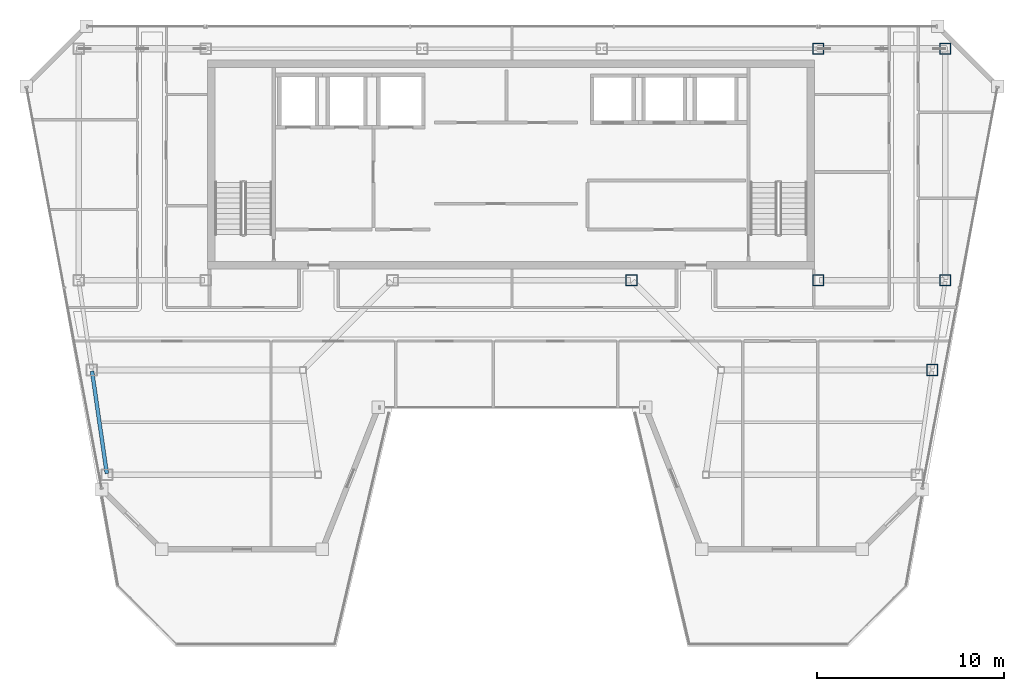
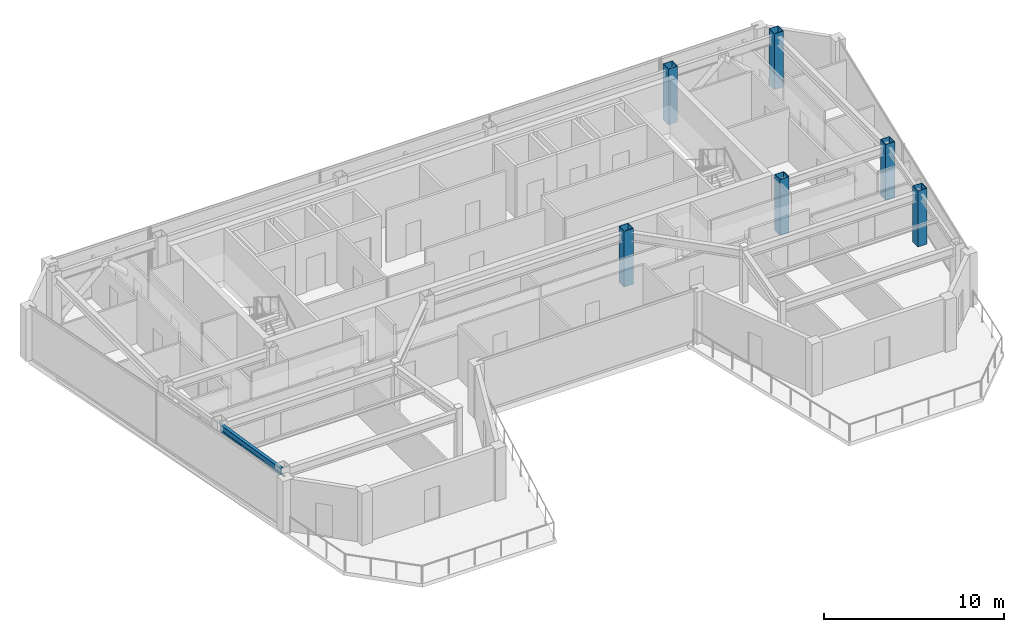
# One storey, part 2 of 25: 6 columns, 1 beam.
"""IFC4 building model written with IfcOpenShell, lengths in metres."""

from ifc_helpers import new_model, si_unit, direction, frame, origin, origin_2d, place, context, subcontext, project, spatial, hollow_rectangle, i_section, extrude, material, material_profile, profile_set, type_object, element, save


model = new_model("IFC4")

# Units and contexts
model_context = context("Model", 3, precision=1e-05, world=origin(), true_north=direction((0.0, 1.0)))
body_context = subcontext(model_context, "Body", "Model", "MODEL_VIEW")
ifc_project = project(units=[si_unit("LENGTHUNIT", "METRE"), si_unit("AREAUNIT", "SQUARE_METRE"), si_unit("VOLUMEUNIT", "CUBIC_METRE"), si_unit("PLANEANGLEUNIT", "RADIAN"), si_unit("MASSUNIT", "GRAM", prefix="KILO")], contexts=[model_context])

# Site, building, storey
site_placement = place(None, origin())
site = spatial("IfcSite", under=ifc_project, at=site_placement, CompositionType="ELEMENT")
building_placement = place(site_placement, origin())
building = spatial("IfcBuilding", under=site, at=building_placement, Name="Saevonmaru Cultural Tower", CompositionType="ELEMENT")
storey_placement = place(building_placement, frame((0.0, 0.0, 276.199951171875)))
storey = spatial("IfcBuildingStorey", under=building, at=storey_placement, Name="L65", CompositionType="ELEMENT", Elevation=276.199951171875)

# Columns
ifc_material = material(Name="Steel SM355", Category="steel")
ifc_material_profile_1 = material_profile(ifc_material, hollow_rectangle(XDim=0.60009765625, YDim=0.60009765625, WallThickness=0.028076171875, at=origin_2d()), Name="BOX-600x600x28")
ifc_profile_set_1 = profile_set([ifc_material_profile_1], Name="Steel SM355")
column_type = type_object("IfcColumnType", Name="COL-BOX-600", PredefinedType="COLUMN", material=ifc_profile_set_1)
for number, where, z_axis, x_axis, name in (
    (1, (46.39990234375, 54.800048828125, 0.0), (0.0, 0.0, 1.0), (1.0, 0.0, 0.0), "L65 Column TC-N5N"),
    (2, (53.199951171875, 54.800048828125, 0.0), (0.0, 0.0, 1.0), (1.0, 0.0, 0.0), "L65 Column TC-N6N"),
    (3, (36.39990234375, 42.39990234375, 0.0), (0.0, 0.0, 1.0), (1.0, 0.0, 0.0), "L65 Column TC-S4C"),
    (4, (46.39990234375, 42.39990234375, 0.0), (0.0, 0.0, 1.0), (1.0, 0.0, 0.0), "L65 Column TC-S5C"),
    (5, (53.199951171875, 42.39990234375, 0.0), (0.0, 0.0, 1.0), (1.0, 0.0, 0.0), "L65 Column TC-S6C"),
    (6, (52.491943359375, 37.60009765625, 0.0), (0.0, 0.0, 1.0), (1.0, 0.0, 0.0), "L65 Column TC-EO-Y376"),
):
    element("IfcColumn", number, at=place(storey_placement, frame(where, z_axis=z_axis, x_axis=x_axis)), inside=storey, type_object=column_type, Name=name, PredefinedType="COLUMN", context=body_context, shape_type="SweptSolid", body=[
        extrude(hollow_rectangle(XDim=0.60009765625, YDim=0.60009765625, WallThickness=0.028076171875, at=origin_2d()), origin(), (0.0, 0.0, 1.0), 3.800048828125),
    ])

# Beam
ifc_material_profile_2 = material_profile(ifc_material, i_section(OverallWidth=0.199951171875, OverallDepth=0.449951171875, WebThickness=0.009033203125, FlangeThickness=0.013916015625, FilletRadius=0.01806640625, at=origin_2d()), Name="H-450x200x9x14")
ifc_profile_set_2 = profile_set([ifc_material_profile_2], Name="Steel SM355")
beam_type = type_object("IfcBeamType", Name="BM-SP-H450", PredefinedType="SPANDREL", material=ifc_profile_set_2)
beam_placement = place(storey_placement, frame((8.308349609375, 32.059326171875, 3.324951171875), z_axis=(-0.142964121327, 0.989727871697, 0.0), x_axis=(-0.989727871697, -0.142964121327, 0.0)))
element("IfcBeam", 7, at=beam_placement, inside=storey, type_object=beam_type, Name="L65 West Splayed Spandrel 1", PredefinedType="SPANDREL", context=body_context, shape_type="SweptSolid", body=[
    extrude(i_section(OverallWidth=0.199951171875, OverallDepth=0.449951171875, WebThickness=0.009033203125, FlangeThickness=0.013916015625, FilletRadius=0.01806640625, at=origin_2d()), origin(), (0.0, 0.0, 1.0), 5.5380859375),
])

save(model, "model.ifc")
